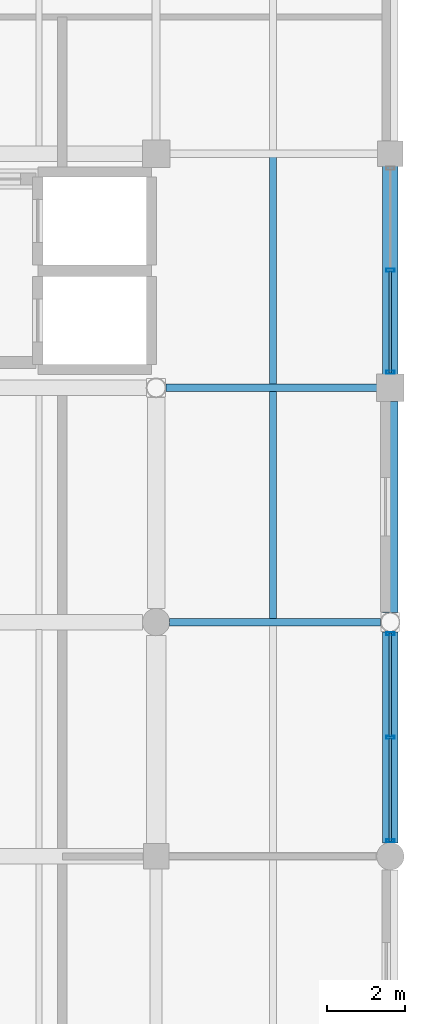
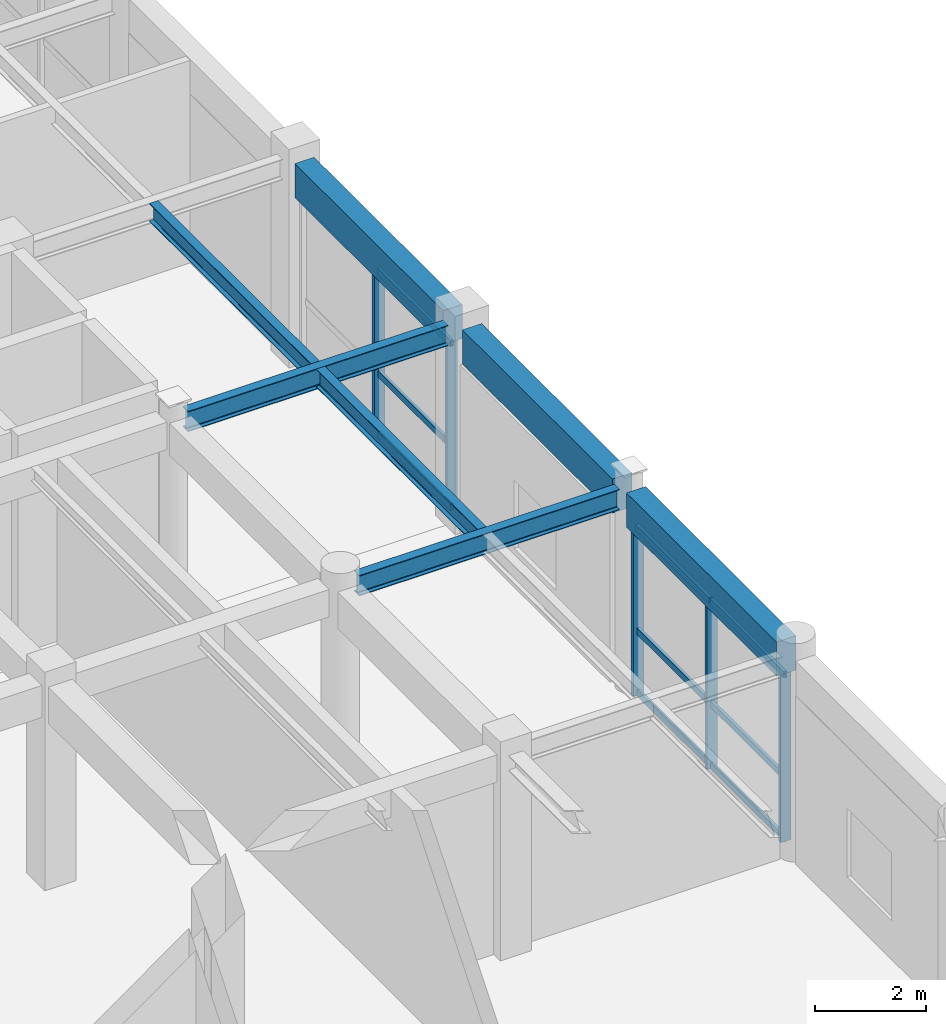
# One storey, part 83 of 123: 14 members, 7 beams, 2 elements without a shape of their own.
"""IFC4 building model written with IfcOpenShell, lengths in metres."""

import ifcopenshell
import ifcopenshell.guid

model = None  # the IFC model being written
_history = None  # IfcOwnerHistory: only IFC2X3 demands one
_inside = {}  # id of a spatial element -> (the spatial element, [elements in it])
_under = {}  # id of a project, library or spatial element -> (it, [spatial elements below it])
_declared = {}  # id of a project -> (the project, [libraries it declares])
_typed = {}  # id of a type object -> (the type object, [elements of that type])
_made_of = {}  # id of a material, layer set ... -> (it, [elements and type objects made of it])


def new_model(schema):
    """Start an empty IFC model of exactly this schema.

    Asked for "IFC4X3", IfcOpenShell would pick the latest addendum, in which some entities
    have other attributes; the version numbers below select the first issue.
    IFC2X3 requires an IfcOwnerHistory on every rooted entity: one is made here for all.
    """
    global model, _history
    if schema == "IFC4X3":
        model = ifcopenshell.file(schema_version=(4, 3, 0, 0))
    else:
        model = ifcopenshell.file(schema=schema)
    _inside.clear()
    _under.clear()
    _declared.clear()
    _typed.clear()
    _made_of.clear()
    _history = None
    if model.schema == "IFC2X3":
        org = make("IfcOrganization", Name="unknown")
        user = make(
            "IfcPersonAndOrganization",
            ThePerson=make("IfcPerson", FamilyName="unknown"),
            TheOrganization=org,
        )
        app = make(
            "IfcApplication",
            ApplicationDeveloper=org,
            Version="unknown",
            ApplicationFullName="unknown",
            ApplicationIdentifier="unknown",
        )
        _history = make(
            "IfcOwnerHistory",
            OwningUser=user,
            OwningApplication=app,
            ChangeAction="ADDED",
            CreationDate=0,
        )
    return model


def make(cls, **values):
    """One entity of the class cls with the attributes given. An attribute that is None is left unset."""
    return model.create_entity(
        cls, **{name: value for name, value in values.items() if value is not None}
    )


def rooted(cls, **values):
    """An entity with a GlobalId (a new one), such as an element, a storey or a relation."""
    return make(cls, GlobalId=ifcopenshell.guid.new(), OwnerHistory=_history, **values)


def si_unit(unit_type, name, prefix=None):
    """IfcSIUnit, for example si_unit("LENGTHUNIT", "METRE", prefix="MILLI")."""
    return make("IfcSIUnit", UnitType=unit_type, Prefix=prefix, Name=name)


def assignment(units):
    """IfcUnitAssignment: the units of a project."""
    return None if units is None else make("IfcUnitAssignment", Units=units)


def point(xyz):
    """IfcCartesianPoint."""
    return None if xyz is None else make("IfcCartesianPoint", Coordinates=xyz)


def direction(xyz):
    """IfcDirection."""
    return None if xyz is None else make("IfcDirection", DirectionRatios=xyz)


def frame(location, z_axis=None, x_axis=None):
    """IfcAxis2Placement3D, a coordinate frame: its origin and axes. An axis left out is left unset."""
    return make(
        "IfcAxis2Placement3D",
        Location=point(location),
        Axis=direction(z_axis),
        RefDirection=direction(x_axis),
    )


def frame_2d(location, x_axis=None):
    """IfcAxis2Placement2D, a coordinate frame in the plane: its origin and x axis."""
    return make(
        "IfcAxis2Placement2D", Location=point(location), RefDirection=direction(x_axis)
    )


def origin():
    """The frame at (0, 0, 0) with its axes left unset."""
    return frame((0.0, 0.0, 0.0))


def origin_2d():
    """The frame at (0, 0) in the plane with its x axis left unset."""
    return frame_2d((0.0, 0.0))


def place(relative_to, where):
    """IfcLocalPlacement: puts the frame where relative to a parent placement (None: the world)."""
    return make(
        "IfcLocalPlacement", PlacementRelTo=relative_to, RelativePlacement=where
    )


def context(
    kind, dimensions, precision=None, world=None, true_north=None, identifier=None
):
    """IfcGeometricRepresentationContext, for example the 3D "Model" context."""
    return make(
        "IfcGeometricRepresentationContext",
        ContextIdentifier=identifier,
        ContextType=kind,
        CoordinateSpaceDimension=dimensions,
        Precision=precision,
        WorldCoordinateSystem=world,
        TrueNorth=true_north,
    )


def subcontext(parent, identifier, kind, view, scale=None):
    """IfcGeometricRepresentationSubContext, for example "Body" below "Model"."""
    return make(
        "IfcGeometricRepresentationSubContext",
        ContextIdentifier=identifier,
        ContextType=kind,
        ParentContext=parent,
        TargetScale=scale,
        TargetView=view,
    )


def project(units=None, contexts=None):
    """IfcProject with its units and contexts."""
    return rooted(
        "IfcProject",
        Name="project",
        RepresentationContexts=contexts,
        UnitsInContext=assignment(units),
    )


def spatial(cls, under=None, at=None, **own):
    """A site, building, storey or space (cls), placed at a placement, below another one or the project."""
    s = rooted(cls, ObjectPlacement=at, **own)
    if under is not None:
        _under.setdefault(under.id(), (under, []))[1].append(s)
    return s


def profile(cls, at=None, kind="AREA", **sizes):
    """A parametric profile (cls). Its sizes go by their IFC names, for example OverallWidth=200.0."""
    return make(cls, ProfileType=kind, Position=at, **sizes)


def rectangle(**sizes):
    """IfcRectangleProfileDef."""
    return profile("IfcRectangleProfileDef", **sizes)


def hollow_rectangle(**sizes):
    """IfcRectangleHollowProfileDef."""
    return profile("IfcRectangleHollowProfileDef", **sizes)


def i_section(**sizes):
    """IfcIShapeProfileDef."""
    return profile("IfcIShapeProfileDef", **sizes)


def extrude(swept, where, along, depth):
    """IfcExtrudedAreaSolid: the profile swept, set in the frame where, extruded along a direction by depth."""
    return make(
        "IfcExtrudedAreaSolid",
        SweptArea=swept,
        Position=where,
        ExtrudedDirection=direction(along),
        Depth=depth,
    )


def shape(context_of_items, identifier, shape_type, items):
    """IfcShapeRepresentation: the items that make up one representation, for example the "Body"."""
    return make(
        "IfcShapeRepresentation",
        ContextOfItems=context_of_items,
        RepresentationIdentifier=identifier,
        RepresentationType=shape_type,
        Items=items,
    )


def material(Name=None, Category=None):
    """IfcMaterial."""
    return make("IfcMaterial", Name=Name, Category=Category)


def material_profile(
    of_material, cross_section, Name=None, Category=None, Priority=None
):
    """IfcMaterialProfile: a cross section and its material."""
    return make(
        "IfcMaterialProfile",
        Name=Name,
        Material=of_material,
        Profile=cross_section,
        Priority=Priority,
        Category=Category,
    )


def profile_set(profiles, Name=None, composite=None):
    """IfcMaterialProfileSet."""
    return make(
        "IfcMaterialProfileSet",
        Name=Name,
        MaterialProfiles=profiles,
        CompositeProfile=composite,
    )


def made_of(thing, what):
    """Note that an element or type object is made of a material, layer set ...; save() writes the relation."""
    if what is not None:
        _made_of.setdefault(what.id(), (what, []))[1].append(thing)
    return thing


def type_object(cls, material=None, **own):
    """A type object (cls), such as IfcWallType, which elements share."""
    return made_of(rooted(cls, **own), material)


def element(
    cls,
    number,
    at=None,
    inside=None,
    cuts=None,
    type_object=None,
    material=None,
    context=None,
    identifier="Body",
    shape_type=None,
    held_by="IfcProductDefinitionShape",
    body=None,
    shapes=None,
    **own,
):
    """One element of the class cls, such as IfcWall. Its Tag is "e" and its number.

    at: its placement. inside: the storey or other place that contains it. cuts: it is an
    opening in that element (IfcRelVoidsElement). A single representation is given by context,
    identifier, shape_type and body (its items); several are given by shapes. held_by: the class
    of the entity that holds the representations. save() writes the other relations.
    """
    e = rooted(cls, Tag="e%d" % number, ObjectPlacement=at, **own)
    if body is not None:
        shapes = [shape(context, identifier, shape_type, body)]
    if shapes is not None:
        e.Representation = make(held_by, Representations=shapes)
    if inside is not None:
        _inside.setdefault(inside.id(), (inside, []))[1].append(e)
    if cuts is not None:
        rooted(
            "IfcRelVoidsElement", RelatingBuildingElement=cuts, RelatedOpeningElement=e
        )
    if type_object is not None:
        _typed.setdefault(type_object.id(), (type_object, []))[1].append(e)
    return made_of(e, material)


def aggregate(whole, parts):
    """IfcRelAggregates: a whole, such as a stair, and the parts it consists of."""
    return rooted("IfcRelAggregates", RelatingObject=whole, RelatedObjects=parts)


def save(model, path):
    """Write the relations noted so far, then the file.

    IfcRelAggregates (storeys below a building ...), IfcRelContainedInSpatialStructure (elements
    in a storey), IfcRelDefinesByType, IfcRelAssociatesMaterial and IfcRelDeclares: one each for
    every whole, place, type object, material and project.
    """
    for whole, parts in _under.values():
        aggregate(whole, parts)
    for where, things in _inside.values():
        rooted(
            "IfcRelContainedInSpatialStructure",
            RelatedElements=things,
            RelatingStructure=where,
        )
    for kind, things in _typed.values():
        rooted("IfcRelDefinesByType", RelatedObjects=things, RelatingType=kind)
    for what, things in _made_of.values():
        rooted("IfcRelAssociatesMaterial", RelatedObjects=things, RelatingMaterial=what)
    for by, libraries in _declared.values():
        rooted("IfcRelDeclares", RelatingContext=by, RelatedDefinitions=libraries)
    model.write(path)


model = new_model("IFC4")

# Units and contexts
model_context = context("Model", 3, precision=1e-05, world=origin(), true_north=direction((0.0, 1.0)))
body_context = subcontext(model_context, "Body", "Model", "MODEL_VIEW")
ifc_project = project(units=[si_unit("LENGTHUNIT", "METRE"), si_unit("AREAUNIT", "SQUARE_METRE"), si_unit("VOLUMEUNIT", "CUBIC_METRE"), si_unit("PLANEANGLEUNIT", "RADIAN"), si_unit("MASSUNIT", "GRAM", prefix="KILO"), si_unit("THERMODYNAMICTEMPERATUREUNIT", "KELVIN"), si_unit("POWERUNIT", "WATT")], contexts=[model_context])

# Site, building, storey
site_placement = place(None, origin())
site = spatial("IfcSite", under=ifc_project, at=site_placement, CompositionType="ELEMENT")
building_placement = place(site_placement, origin())
building = spatial("IfcBuilding", under=site, at=building_placement, Name="Phaisarnlok Congress Hotel", CompositionType="ELEMENT")
storey_placement = place(building_placement, frame((0.0, 0.0, 15.0)))
storey = spatial("IfcBuildingStorey", under=building, at=storey_placement, Name="L03", CompositionType="ELEMENT", Elevation=15.0)

# Beams
ifc_material_1 = material(Name="Steel S355", Category="steel")
ifc_material_profile_1 = material_profile(ifc_material_1, i_section(OverallWidth=0.18994140625, OverallDepth=0.449951171875, WebThickness=0.009521484375, FlangeThickness=0.0146484375, FilletRadius=0.02099609375, at=origin_2d()), Name="IPE 450")
ifc_profile_set_1 = profile_set([ifc_material_profile_1], Name="Steel S355")
beam_type_1 = type_object("IfcBeamType", Name="BM-STL-IPE450", PredefinedType="BEAM", material=ifc_profile_set_1)
for number, where, z_axis, x_axis, name in (
    (1, (174.344970703125, 102.0, 4.22509765625), (1.0, 0.0, 0.0), (0.0, 1.0, 0.0), "Beam SB-01"),
    (2, (174.2490234375, 108.0, 4.22509765625), (1.0, 0.0, 0.0), (0.0, 1.0, 0.0), "Beam SB-01"),
):
    element("IfcBeam", number, at=place(storey_placement, frame(where, z_axis=z_axis, x_axis=x_axis)), inside=storey, type_object=beam_type_1, Name=name, PredefinedType="BEAM", context=body_context, shape_type="SweptSolid", body=[
        extrude(i_section(OverallWidth=0.18994140625, OverallDepth=0.449951171875, WebThickness=0.009521484375, FlangeThickness=0.0146484375, FilletRadius=0.02099609375, at=origin_2d()), origin(), (0.0, 0.0, 1.0), 5.406005859375),
    ])

# Curtain wall, members
ifc_material_2 = material(Name="Thermally Broken Unitised Aluminium & Low-E Glazing", Category="aluminium")
curtain_wall_type_1 = type_object("IfcCurtainWallType", Name="CW-UNIT-31", PredefinedType="NOTDEFINED", material=ifc_material_2)
curtain_wall_1_placement = place(storey_placement, origin())
curtain_wall_1 = element("IfcCurtainWall", 3, at=curtain_wall_1_placement, inside=storey, type_object=curtain_wall_type_1, Name="Unitised curtain wall CW-31 (L03)", PredefinedType="NOTDEFINED")
ifc_material_3 = material(Name="Anodised Aluminium Alloy 6063-T6", Category="aluminium")
ifc_material_profile_2 = material_profile(ifc_material_3, hollow_rectangle(XDim=0.074951171875, YDim=0.219970703125, WallThickness=0.0048828125, at=origin_2d()), Name="ALU-M 75x220x5")
ifc_profile_set_2 = profile_set([ifc_material_profile_2], Name="Anodised Aluminium Alloy 6063-T6")
member_type_1 = type_object("IfcMemberType", Name="CWM-220", PredefinedType="MULLION", material=ifc_profile_set_2)
member_1_placement = place(storey_placement, frame((180.0, 96.39990234375, 0.0), z_axis=(0.0, 0.0, 1.0), x_axis=(0.0, 1.0, 0.0)))
member_1 = element("IfcMember", 4, at=member_1_placement, type_object=member_type_1, Name="Curtain wall mullion CWM-02", PredefinedType="MULLION", context=body_context, shape_type="SweptSolid", body=[
    extrude(hollow_rectangle(XDim=0.074951171875, YDim=0.219970703125, WallThickness=0.0048828125, at=origin_2d()), origin(), (0.0, 0.0, 1.0), 3.699951171875),
])
member_2_placement = place(storey_placement, frame((180.0, 99.048095703125, 0.0), z_axis=(0.0, 0.0, 1.0), x_axis=(0.0, 1.0, 0.0)))
member_2 = element("IfcMember", 5, at=member_2_placement, type_object=member_type_1, Name="Curtain wall mullion CWM-02", PredefinedType="MULLION", context=body_context, shape_type="SweptSolid", body=[
    extrude(hollow_rectangle(XDim=0.074951171875, YDim=0.219970703125, WallThickness=0.0048828125, at=origin_2d()), origin(), (0.0, 0.0, 1.0), 3.699951171875),
])
member_3_placement = place(storey_placement, frame((180.0, 101.696044921875, 0.0), z_axis=(0.0, 0.0, 1.0), x_axis=(0.0, 1.0, 0.0)))
member_3 = element("IfcMember", 6, at=member_3_placement, type_object=member_type_1, Name="Curtain wall mullion CWM-02", PredefinedType="MULLION", context=body_context, shape_type="SweptSolid", body=[
    extrude(hollow_rectangle(XDim=0.074951171875, YDim=0.219970703125, WallThickness=0.0048828125, at=origin_2d()), origin(), (0.0, 0.0, 1.0), 3.699951171875),
])

curtain_wall_type_2 = type_object("IfcCurtainWallType", Name="CW-UNIT-30", PredefinedType="NOTDEFINED", material=ifc_material_2)
curtain_wall_2_placement = place(storey_placement, origin())
curtain_wall_2 = element("IfcCurtainWall", 7, at=curtain_wall_2_placement, inside=storey, type_object=curtain_wall_type_2, Name="Unitised curtain wall CW-30 (L03)", PredefinedType="NOTDEFINED")
member_4_placement = place(storey_placement, frame((180.0, 108.39990234375, 0.0), z_axis=(0.0, 0.0, 1.0), x_axis=(0.0, 1.0, 0.0)))
member_4 = element("IfcMember", 8, at=member_4_placement, type_object=member_type_1, Name="Curtain wall mullion CWM-02", PredefinedType="MULLION", context=body_context, shape_type="SweptSolid", body=[
    extrude(hollow_rectangle(XDim=0.074951171875, YDim=0.219970703125, WallThickness=0.0048828125, at=origin_2d()), origin(), (0.0, 0.0, 1.0), 3.699951171875),
])
member_5_placement = place(storey_placement, frame((180.0, 111.012451171875, 0.0), z_axis=(0.0, 0.0, 1.0), x_axis=(0.0, 1.0, 0.0)))
member_5 = element("IfcMember", 9, at=member_5_placement, type_object=member_type_1, Name="Curtain wall mullion CWM-02", PredefinedType="MULLION", context=body_context, shape_type="SweptSolid", body=[
    extrude(hollow_rectangle(XDim=0.074951171875, YDim=0.219970703125, WallThickness=0.0048828125, at=origin_2d()), origin(), (0.0, 0.0, 1.0), 3.699951171875),
])

# Member
ifc_material_profile_3 = material_profile(ifc_material_3, hollow_rectangle(XDim=0.06494140625, YDim=0.139892578125, WallThickness=0.00390625, at=origin_2d()), Name="ALU-T 65x140x4")
ifc_profile_set_3 = profile_set([ifc_material_profile_3], Name="Anodised Aluminium Alloy 6063-T6")
member_type_2 = type_object("IfcMemberType", Name="CWT-150", PredefinedType="USERDEFINED", material=ifc_profile_set_3)
member_6_placement = place(storey_placement, frame((180.0, 96.375, 0.050048828125), z_axis=(0.0, 1.0, 0.0), x_axis=(-1.0, 0.0, 0.0)))
member_6 = element("IfcMember", 10, at=member_6_placement, type_object=member_type_2, Name="Curtain wall transom CWT-01", ObjectType="TRANSOM", PredefinedType="USERDEFINED", context=body_context, shape_type="SweptSolid", body=[
    extrude(hollow_rectangle(XDim=0.06494140625, YDim=0.139892578125, WallThickness=0.00390625, at=origin_2d()), origin(), (0.0, 0.0, 1.0), 2.657958984375),
])

member_7_placement = place(storey_placement, frame((180.0, 96.375, 1.406005859375), z_axis=(0.0, 1.0, 0.0), x_axis=(-1.0, 0.0, 0.0)))
member_7 = element("IfcMember", 11, at=member_7_placement, type_object=member_type_2, Name="Curtain wall transom CWT-01", ObjectType="TRANSOM", PredefinedType="USERDEFINED", context=body_context, shape_type="SweptSolid", body=[
    extrude(hollow_rectangle(XDim=0.06494140625, YDim=0.139892578125, WallThickness=0.00390625, at=origin_2d()), origin(), (0.0, 0.0, 1.0), 2.657958984375),
])

member_8_placement = place(storey_placement, frame((180.0, 96.375, 3.64990234375), z_axis=(0.0, 1.0, 0.0), x_axis=(-1.0, 0.0, 0.0)))
member_8 = element("IfcMember", 12, at=member_8_placement, type_object=member_type_2, Name="Curtain wall transom CWT-01", ObjectType="TRANSOM", PredefinedType="USERDEFINED", context=body_context, shape_type="SweptSolid", body=[
    extrude(hollow_rectangle(XDim=0.06494140625, YDim=0.139892578125, WallThickness=0.00390625, at=origin_2d()), origin(), (0.0, 0.0, 1.0), 2.657958984375),
])

member_9_placement = place(storey_placement, frame((180.0, 99.06298828125, 0.050048828125), z_axis=(0.0, 1.0, 0.0), x_axis=(-1.0, 0.0, 0.0)))
member_9 = element("IfcMember", 13, at=member_9_placement, type_object=member_type_2, Name="Curtain wall transom CWT-01", ObjectType="TRANSOM", PredefinedType="USERDEFINED", context=body_context, shape_type="SweptSolid", body=[
    extrude(hollow_rectangle(XDim=0.06494140625, YDim=0.139892578125, WallThickness=0.00390625, at=origin_2d()), origin(), (0.0, 0.0, 1.0), 2.657958984375),
])

member_10_placement = place(storey_placement, frame((180.0, 99.06298828125, 1.406005859375), z_axis=(0.0, 1.0, 0.0), x_axis=(-1.0, 0.0, 0.0)))
member_10 = element("IfcMember", 14, at=member_10_placement, type_object=member_type_2, Name="Curtain wall transom CWT-01", ObjectType="TRANSOM", PredefinedType="USERDEFINED", context=body_context, shape_type="SweptSolid", body=[
    extrude(hollow_rectangle(XDim=0.06494140625, YDim=0.139892578125, WallThickness=0.00390625, at=origin_2d()), origin(), (0.0, 0.0, 1.0), 2.657958984375),
])

member_11_placement = place(storey_placement, frame((180.0, 99.06298828125, 3.64990234375), z_axis=(0.0, 1.0, 0.0), x_axis=(-1.0, 0.0, 0.0)))
member_11 = element("IfcMember", 15, at=member_11_placement, type_object=member_type_2, Name="Curtain wall transom CWT-01", ObjectType="TRANSOM", PredefinedType="USERDEFINED", context=body_context, shape_type="SweptSolid", body=[
    extrude(hollow_rectangle(XDim=0.06494140625, YDim=0.139892578125, WallThickness=0.00390625, at=origin_2d()), origin(), (0.0, 0.0, 1.0), 2.657958984375),
])

aggregate(curtain_wall_1, [member_1, member_2, member_3, member_6, member_7, member_8, member_9, member_10, member_11])

member_12_placement = place(storey_placement, frame((180.0, 108.375, 0.050048828125), z_axis=(0.0, 1.0, 0.0), x_axis=(-1.0, 0.0, 0.0)))
member_12 = element("IfcMember", 16, at=member_12_placement, type_object=member_type_2, Name="Curtain wall transom CWT-01", ObjectType="TRANSOM", PredefinedType="USERDEFINED", context=body_context, shape_type="SweptSolid", body=[
    extrude(hollow_rectangle(XDim=0.06494140625, YDim=0.139892578125, WallThickness=0.00390625, at=origin_2d()), origin(), (0.0, 0.0, 1.0), 2.62255859375),
])

member_13_placement = place(storey_placement, frame((180.0, 108.375, 1.406005859375), z_axis=(0.0, 1.0, 0.0), x_axis=(-1.0, 0.0, 0.0)))
member_13 = element("IfcMember", 17, at=member_13_placement, type_object=member_type_2, Name="Curtain wall transom CWT-01", ObjectType="TRANSOM", PredefinedType="USERDEFINED", context=body_context, shape_type="SweptSolid", body=[
    extrude(hollow_rectangle(XDim=0.06494140625, YDim=0.139892578125, WallThickness=0.00390625, at=origin_2d()), origin(), (0.0, 0.0, 1.0), 2.62255859375),
])

member_14_placement = place(storey_placement, frame((180.0, 108.375, 3.64990234375), z_axis=(0.0, 1.0, 0.0), x_axis=(-1.0, 0.0, 0.0)))
member_14 = element("IfcMember", 18, at=member_14_placement, type_object=member_type_2, Name="Curtain wall transom CWT-01", ObjectType="TRANSOM", PredefinedType="USERDEFINED", context=body_context, shape_type="SweptSolid", body=[
    extrude(hollow_rectangle(XDim=0.06494140625, YDim=0.139892578125, WallThickness=0.00390625, at=origin_2d()), origin(), (0.0, 0.0, 1.0), 2.62255859375),
])

aggregate(curtain_wall_2, [member_4, member_5, member_12, member_13, member_14])

# Beams
ifc_material_profile_4 = material_profile(ifc_material_1, i_section(OverallWidth=0.179931640625, OverallDepth=0.39990234375, WebThickness=0.008544921875, FlangeThickness=0.013427734375, FilletRadius=0.02099609375, at=origin_2d()), Name="IPE 400")
ifc_profile_set_4 = profile_set([ifc_material_profile_4], Name="Steel S355")
beam_type_2 = type_object("IfcBeamType", Name="JS-STL-IPE400", PredefinedType="JOIST", material=ifc_profile_set_4)
for number, where, z_axis, x_axis, name in (
    (19, (177.0, 102.090087890625, 4.25), (0.0, 1.0, 0.0), (-1.0, 0.0, 0.0), "Secondary floor joist J-05"),
    (20, (177.0, 108.090087890625, 4.25), (0.0, 1.0, 0.0), (-1.0, 0.0, 0.0), "Secondary floor joist J-05"),
):
    element("IfcBeam", number, at=place(storey_placement, frame(where, z_axis=z_axis, x_axis=x_axis)), inside=storey, type_object=beam_type_2, Name=name, PredefinedType="JOIST", context=body_context, shape_type="SweptSolid", body=[
        extrude(i_section(OverallWidth=0.179931640625, OverallDepth=0.39990234375, WebThickness=0.008544921875, FlangeThickness=0.013427734375, FilletRadius=0.02099609375, at=origin_2d()), origin(), (0.0, 0.0, 1.0), 5.81982421875),
    ])
ifc_material_4 = material(Name="Concrete C40/50", Category="concrete")
ifc_material_profile_5 = material_profile(ifc_material_4, rectangle(XDim=0.39990234375, YDim=0.75, at=origin_2d()), Name="RC 400x750")
ifc_profile_set_5 = profile_set([ifc_material_profile_5], Name="Concrete C40/50")
beam_type_3 = type_object("IfcBeamType", Name="SP-RC-400x750", PredefinedType="SPANDREL", material=ifc_profile_set_5)
for number, where, z_axis, x_axis, name in (
    (21, (180.0, 96.344970703125, 4.074951171875), (0.0, 1.0, 0.0), (-1.0, 0.0, 0.0), "Beam SP-02"),
    (22, (180.0, 102.2490234375, 4.074951171875), (0.0, 1.0, 0.0), (-1.0, 0.0, 0.0), "Beam SP-02"),
):
    element("IfcBeam", number, at=place(storey_placement, frame(where, z_axis=z_axis, x_axis=x_axis)), inside=storey, type_object=beam_type_3, Name=name, PredefinedType="SPANDREL", context=body_context, shape_type="SweptSolid", body=[
        extrude(rectangle(XDim=0.39990234375, YDim=0.75, at=origin_2d()), origin(), (0.0, 0.0, 1.0), 5.406005859375),
    ])
beam_placement = place(storey_placement, frame((180.0, 108.344970703125, 4.074951171875), z_axis=(0.0, 1.0, 0.0), x_axis=(-1.0, 0.0, 0.0)))
element("IfcBeam", 23, at=beam_placement, inside=storey, type_object=beam_type_3, Name="Beam SP-02", PredefinedType="SPANDREL", context=body_context, shape_type="SweptSolid", body=[
    extrude(rectangle(XDim=0.39990234375, YDim=0.75, at=origin_2d()), origin(), (0.0, 0.0, 1.0), 5.3349609375),
])

save(model, "model.ifc")
